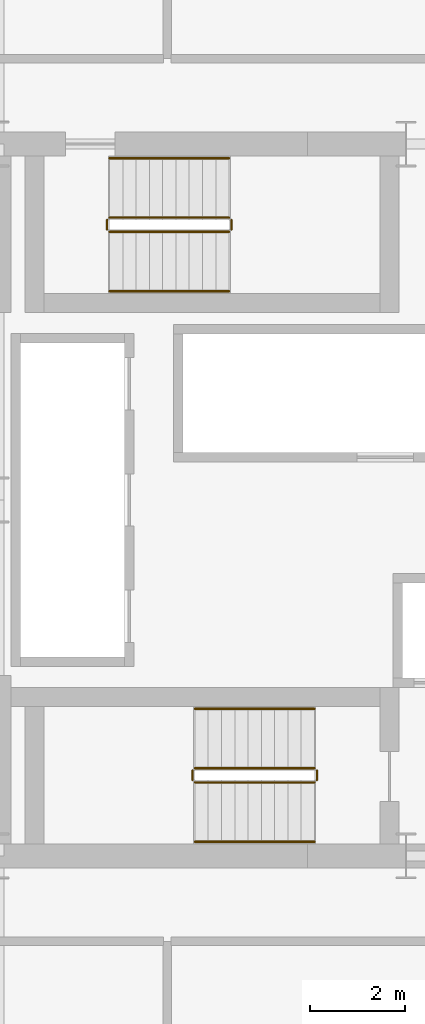
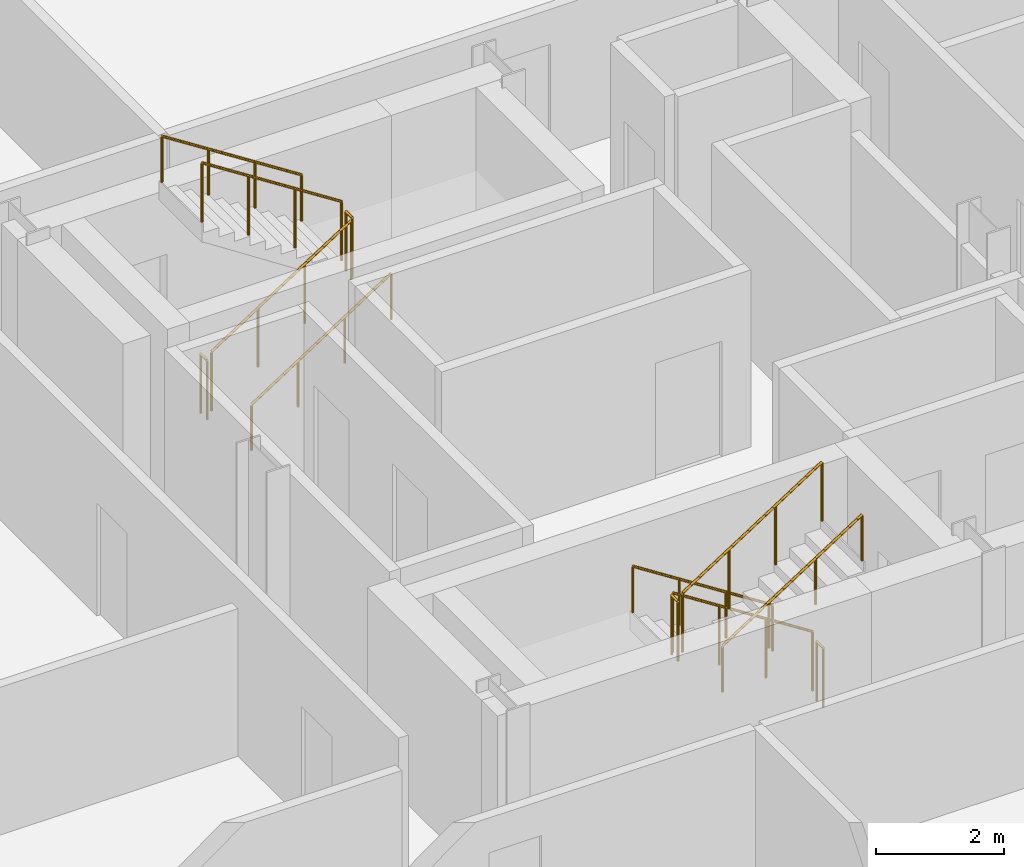
# One storey, part 20 of 21: 12 railings.
"""IFC4 building model written with IfcOpenShell, lengths in metres."""

from ifc_helpers import new_model, si_unit, direction, frame, origin, origin_2d, place, context, subcontext, project, spatial, circle, extrude, material, type_object, element, save


model = new_model("IFC4")

# Units and contexts
model_context = context("Model", 3, precision=1e-05, world=origin(), true_north=direction((0.0, 1.0)))
body_context = subcontext(model_context, "Body", "Model", "MODEL_VIEW")
ifc_project = project(units=[si_unit("LENGTHUNIT", "METRE"), si_unit("AREAUNIT", "SQUARE_METRE"), si_unit("VOLUMEUNIT", "CUBIC_METRE"), si_unit("PLANEANGLEUNIT", "RADIAN"), si_unit("MASSUNIT", "GRAM", prefix="KILO")], contexts=[model_context])

# Site, building, storey
site_placement = place(None, origin())
site = spatial("IfcSite", under=ifc_project, at=site_placement, CompositionType="ELEMENT")
building_placement = place(site_placement, origin())
building = spatial("IfcBuilding", under=site, at=building_placement, Name="Barlavira Tower and Art Museum", CompositionType="ELEMENT")
storey_placement = place(building_placement, frame((0.0, 0.0, 86.39990234375)))
storey = spatial("IfcBuildingStorey", under=building, at=storey_placement, Name="L21", CompositionType="ELEMENT", Elevation=86.39990234375)

# Railings
ifc_material = material(Name="Brushed stainless steel", Category="steel")
railing_type_1 = type_object("IfcRailingType", Name="Interior Void and Landing Guard Railing 1150", PredefinedType="GUARDRAIL", material=ifc_material)
railing_1_placement = place(storey_placement, frame((0.14990234375, -5.64990234375, 0.18017578125)))
element("IfcRailing", 1, at=railing_1_placement, inside=storey, type_object=railing_type_1, Name="L21 ST-T1 stair guard 1", PredefinedType="GUARDRAIL", context=body_context, shape_type="SweptSolid", body=[
    extrude(circle(Radius=0.02392578125, at=origin_2d()), frame((0.0, 0.0, 1.1259765625), z_axis=(-0.841199657755, 0.0, 0.540724639528), x_axis=(0.0, -1.0, 0.0)), (0.0, 0.0, 1.0), 2.995849609375),
    extrude(circle(Radius=0.02099609375, at=origin_2d()), origin(), (0.0, 0.0, 1.0), 1.101806640625),
    extrude(circle(Radius=0.02099609375, at=origin_2d()), frame((-0.840087890625, 0.0, 0.5400390625)), (0.0, 0.0, 1.0), 1.101806640625),
    extrude(circle(Radius=0.02099609375, at=origin_2d()), frame((-1.679931640625, 0.0, 1.079833984375)), (0.0, 0.0, 1.0), 1.101806640625),
    extrude(circle(Radius=0.02099609375, at=origin_2d()), frame((-2.52001953125, 0.0, 1.619873046875)), (0.0, 0.0, 1.0), 1.101806640625),
])
railing_2_placement = place(storey_placement, frame((-2.419921875, -5.699951171875, 1.800048828125)))
element("IfcRailing", 2, at=railing_2_placement, inside=storey, type_object=railing_type_1, Name="L21 ST-T1 stair guard 2", PredefinedType="GUARDRAIL", context=body_context, shape_type="SweptSolid", body=[
    extrude(circle(Radius=0.02392578125, at=origin_2d()), frame((0.0, 0.0, 1.1259765625), z_axis=(0.0, -1.0, 0.0), x_axis=(1.0, 0.0, 0.0)), (0.0, 0.0, 1.0), 0.199951171875),
    extrude(circle(Radius=0.02099609375, at=origin_2d()), origin(), (0.0, 0.0, 1.0), 1.101806640625),
    extrude(circle(Radius=0.02099609375, at=origin_2d()), frame((0.0, -0.199951171875, 0.0)), (0.0, 0.0, 1.0), 1.101806640625),
])
railing_3_placement = place(storey_placement, frame((-2.3701171875, -5.949951171875, 1.97998046875)))
element("IfcRailing", 3, at=railing_3_placement, inside=storey, type_object=railing_type_1, Name="L21 ST-T1 stair guard 3", PredefinedType="GUARDRAIL", context=body_context, shape_type="SweptSolid", body=[
    extrude(circle(Radius=0.02392578125, at=origin_2d()), frame((0.0, 0.0, 1.1259765625), z_axis=(0.841162588446, 0.0, 0.540782303519), x_axis=(0.0, 1.0, 0.0)), (0.0, 0.0, 1.0), 2.995849609375),
    extrude(circle(Radius=0.02099609375, at=origin_2d()), origin(), (0.0, 0.0, 1.0), 1.101806640625),
    extrude(circle(Radius=0.02099609375, at=origin_2d()), frame((0.840087890625, 0.0, 0.5400390625)), (0.0, 0.0, 1.0), 1.101806640625),
    extrude(circle(Radius=0.02099609375, at=origin_2d()), frame((1.679931640625, 0.0, 1.080078125)), (0.0, 0.0, 1.0), 1.101806640625),
    extrude(circle(Radius=0.02099609375, at=origin_2d()), frame((2.52001953125, 0.0, 1.6201171875)), (0.0, 0.0, 1.0), 1.101806640625),
])
railing_4_placement = place(storey_placement, frame((0.199951171875, -5.699951171875, 0.0)))
element("IfcRailing", 4, at=railing_4_placement, inside=storey, type_object=railing_type_1, Name="L21 ST-T1 stair guard 4", PredefinedType="GUARDRAIL", context=body_context, shape_type="SweptSolid", body=[
    extrude(circle(Radius=0.02392578125, at=origin_2d()), frame((0.0, 0.0, 1.1259765625), z_axis=(0.0, -1.0, 0.0), x_axis=(1.0, 0.0, 0.0)), (0.0, 0.0, 1.0), 0.199951171875),
    extrude(circle(Radius=0.02099609375, at=origin_2d()), origin(), (0.0, 0.0, 1.0), 1.101806640625),
    extrude(circle(Radius=0.02099609375, at=origin_2d()), frame((0.0, -0.199951171875, 0.0)), (0.0, 0.0, 1.0), 1.101806640625),
])
railing_5_placement = place(storey_placement, frame((-4.169921875, 5.64990234375, 0.18017578125)))
element("IfcRailing", 5, at=railing_5_placement, inside=storey, type_object=railing_type_1, Name="L21 ST-T2 stair guard 1", PredefinedType="GUARDRAIL", context=body_context, shape_type="SweptSolid", body=[
    extrude(circle(Radius=0.02392578125, at=origin_2d()), frame((0.0, 0.0, 1.1259765625), z_axis=(0.841199657755, 0.0, 0.540724639528), x_axis=(0.0, 1.0, 0.0)), (0.0, 0.0, 1.0), 2.995849609375),
    extrude(circle(Radius=0.02099609375, at=origin_2d()), origin(), (0.0, 0.0, 1.0), 1.101806640625),
    extrude(circle(Radius=0.02099609375, at=origin_2d()), frame((0.840087890625, 0.0, 0.5400390625)), (0.0, 0.0, 1.0), 1.101806640625),
    extrude(circle(Radius=0.02099609375, at=origin_2d()), frame((1.679931640625, 0.0, 1.079833984375)), (0.0, 0.0, 1.0), 1.101806640625),
    extrude(circle(Radius=0.02099609375, at=origin_2d()), frame((2.52001953125, 0.0, 1.619873046875)), (0.0, 0.0, 1.0), 1.101806640625),
])
railing_6_placement = place(storey_placement, frame((-1.60009765625, 5.699951171875, 1.800048828125)))
element("IfcRailing", 6, at=railing_6_placement, inside=storey, type_object=railing_type_1, Name="L21 ST-T2 stair guard 2", PredefinedType="GUARDRAIL", context=body_context, shape_type="SweptSolid", body=[
    extrude(circle(Radius=0.02392578125, at=origin_2d()), frame((0.0, 0.0, 1.1259765625), z_axis=(0.0, 1.0, 0.0), x_axis=(-1.0, 0.0, 0.0)), (0.0, 0.0, 1.0), 0.199951171875),
    extrude(circle(Radius=0.02099609375, at=origin_2d()), origin(), (0.0, 0.0, 1.0), 1.101806640625),
    extrude(circle(Radius=0.02099609375, at=origin_2d()), frame((0.0, 0.199951171875, 0.0)), (0.0, 0.0, 1.0), 1.101806640625),
])
railing_7_placement = place(storey_placement, frame((-1.64990234375, 5.949951171875, 1.97998046875)))
element("IfcRailing", 7, at=railing_7_placement, inside=storey, type_object=railing_type_1, Name="L21 ST-T2 stair guard 3", PredefinedType="GUARDRAIL", context=body_context, shape_type="SweptSolid", body=[
    extrude(circle(Radius=0.02392578125, at=origin_2d()), frame((0.0, 0.0, 1.1259765625), z_axis=(-0.841162588446, 0.0, 0.540782303519), x_axis=(0.0, -1.0, 0.0)), (0.0, 0.0, 1.0), 2.995849609375),
    extrude(circle(Radius=0.02099609375, at=origin_2d()), origin(), (0.0, 0.0, 1.0), 1.101806640625),
    extrude(circle(Radius=0.02099609375, at=origin_2d()), frame((-0.840087890625, 0.0, 0.5400390625)), (0.0, 0.0, 1.0), 1.101806640625),
    extrude(circle(Radius=0.02099609375, at=origin_2d()), frame((-1.679931640625, 0.0, 1.080078125)), (0.0, 0.0, 1.0), 1.101806640625),
    extrude(circle(Radius=0.02099609375, at=origin_2d()), frame((-2.52001953125, 0.0, 1.6201171875)), (0.0, 0.0, 1.0), 1.101806640625),
])
railing_8_placement = place(storey_placement, frame((-4.219970703125, 5.699951171875, 0.0)))
element("IfcRailing", 8, at=railing_8_placement, inside=storey, type_object=railing_type_1, Name="L21 ST-T2 stair guard 4", PredefinedType="GUARDRAIL", context=body_context, shape_type="SweptSolid", body=[
    extrude(circle(Radius=0.02392578125, at=origin_2d()), frame((0.0, 0.0, 1.1259765625), z_axis=(0.0, 1.0, 0.0), x_axis=(-1.0, 0.0, 0.0)), (0.0, 0.0, 1.0), 0.199951171875),
    extrude(circle(Radius=0.02099609375, at=origin_2d()), origin(), (0.0, 0.0, 1.0), 1.101806640625),
    extrude(circle(Radius=0.02099609375, at=origin_2d()), frame((0.0, 0.199951171875, 0.0)), (0.0, 0.0, 1.0), 1.101806640625),
])
railing_type_2 = type_object("IfcRailingType", Name="Stair Pitch Tubular Steel Handrail 920", PredefinedType="HANDRAIL", material=ifc_material)
railing_9_placement = place(storey_placement, frame((0.14990234375, -4.39990234375, 0.18017578125)))
element("IfcRailing", 9, at=railing_9_placement, inside=storey, type_object=railing_type_2, Name="L21 ST-T1 stair handrail 1", PredefinedType="HANDRAIL", context=body_context, shape_type="SweptSolid", body=[
    extrude(circle(Radius=0.02392578125, at=origin_2d()), frame((0.0, 0.0, 0.8759765625), z_axis=(-0.841199657755, 0.0, 0.540724639528), x_axis=(0.0, -1.0, 0.0)), (0.0, 0.0, 1.0), 2.995849609375),
    extrude(circle(Radius=0.02099609375, at=origin_2d()), origin(), (0.0, 0.0, 1.0), 0.851806640625),
    extrude(circle(Radius=0.02099609375, at=origin_2d()), frame((-0.840087890625, 0.0, 0.5400390625)), (0.0, 0.0, 1.0), 0.851806640625),
    extrude(circle(Radius=0.02099609375, at=origin_2d()), frame((-1.679931640625, 0.0, 1.079833984375)), (0.0, 0.0, 1.0), 0.851806640625),
    extrude(circle(Radius=0.02099609375, at=origin_2d()), frame((-2.52001953125, 0.0, 1.619873046875)), (0.0, 0.0, 1.0), 0.851806640625),
])
railing_10_placement = place(storey_placement, frame((-2.3701171875, -7.199951171875, 1.97998046875)))
element("IfcRailing", 10, at=railing_10_placement, inside=storey, type_object=railing_type_2, Name="L21 ST-T1 stair handrail 2", PredefinedType="HANDRAIL", context=body_context, shape_type="SweptSolid", body=[
    extrude(circle(Radius=0.02392578125, at=origin_2d()), frame((0.0, 0.0, 0.8759765625), z_axis=(0.841162588446, 0.0, 0.540782303519), x_axis=(0.0, 1.0, 0.0)), (0.0, 0.0, 1.0), 2.995849609375),
    extrude(circle(Radius=0.02099609375, at=origin_2d()), origin(), (0.0, 0.0, 1.0), 0.851806640625),
    extrude(circle(Radius=0.02099609375, at=origin_2d()), frame((0.840087890625, 0.0, 0.5400390625)), (0.0, 0.0, 1.0), 0.851806640625),
    extrude(circle(Radius=0.02099609375, at=origin_2d()), frame((1.679931640625, 0.0, 1.080078125)), (0.0, 0.0, 1.0), 0.851806640625),
    extrude(circle(Radius=0.02099609375, at=origin_2d()), frame((2.52001953125, 0.0, 1.6201171875)), (0.0, 0.0, 1.0), 0.851806640625),
])
railing_11_placement = place(storey_placement, frame((-4.169921875, 4.39990234375, 0.18017578125)))
element("IfcRailing", 11, at=railing_11_placement, inside=storey, type_object=railing_type_2, Name="L21 ST-T2 stair handrail 1", PredefinedType="HANDRAIL", context=body_context, shape_type="SweptSolid", body=[
    extrude(circle(Radius=0.02392578125, at=origin_2d()), frame((0.0, 0.0, 0.8759765625), z_axis=(0.841199657755, 0.0, 0.540724639528), x_axis=(0.0, 1.0, 0.0)), (0.0, 0.0, 1.0), 2.995849609375),
    extrude(circle(Radius=0.02099609375, at=origin_2d()), origin(), (0.0, 0.0, 1.0), 0.851806640625),
    extrude(circle(Radius=0.02099609375, at=origin_2d()), frame((0.840087890625, 0.0, 0.5400390625)), (0.0, 0.0, 1.0), 0.851806640625),
    extrude(circle(Radius=0.02099609375, at=origin_2d()), frame((1.679931640625, 0.0, 1.079833984375)), (0.0, 0.0, 1.0), 0.851806640625),
    extrude(circle(Radius=0.02099609375, at=origin_2d()), frame((2.52001953125, 0.0, 1.619873046875)), (0.0, 0.0, 1.0), 0.851806640625),
])
railing_12_placement = place(storey_placement, frame((-1.64990234375, 7.199951171875, 1.97998046875)))
element("IfcRailing", 12, at=railing_12_placement, inside=storey, type_object=railing_type_2, Name="L21 ST-T2 stair handrail 2", PredefinedType="HANDRAIL", context=body_context, shape_type="SweptSolid", body=[
    extrude(circle(Radius=0.02392578125, at=origin_2d()), frame((0.0, 0.0, 0.8759765625), z_axis=(-0.841162588446, 0.0, 0.540782303519), x_axis=(0.0, -1.0, 0.0)), (0.0, 0.0, 1.0), 2.995849609375),
    extrude(circle(Radius=0.02099609375, at=origin_2d()), origin(), (0.0, 0.0, 1.0), 0.851806640625),
    extrude(circle(Radius=0.02099609375, at=origin_2d()), frame((-0.840087890625, 0.0, 0.5400390625)), (0.0, 0.0, 1.0), 0.851806640625),
    extrude(circle(Radius=0.02099609375, at=origin_2d()), frame((-1.679931640625, 0.0, 1.080078125)), (0.0, 0.0, 1.0), 0.851806640625),
    extrude(circle(Radius=0.02099609375, at=origin_2d()), frame((-2.52001953125, 0.0, 1.6201171875)), (0.0, 0.0, 1.0), 0.851806640625),
])

save(model, "model.ifc")
